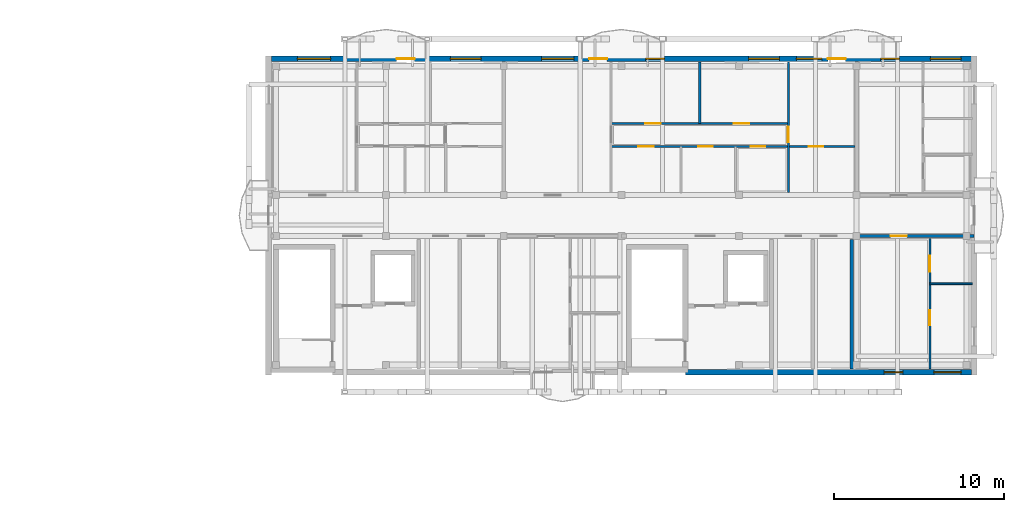
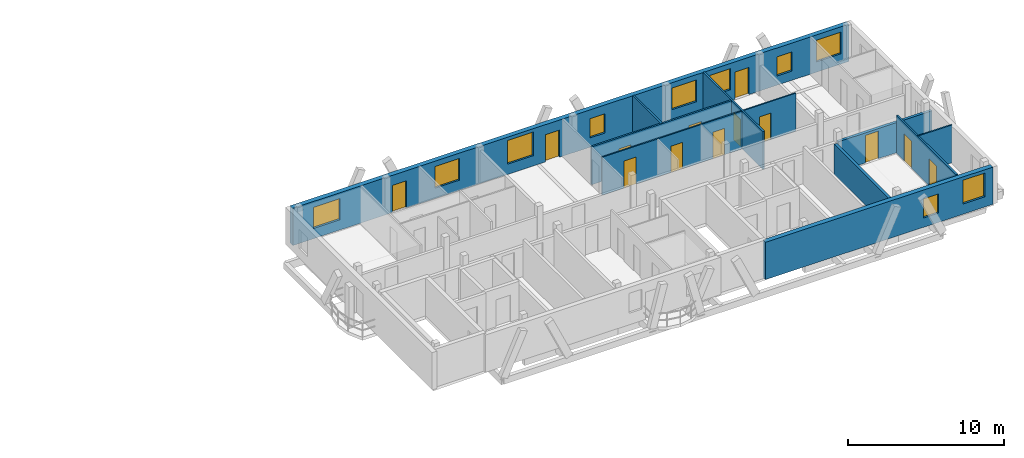
# One storey, part 20 of 29: 13 doors, 10 walls, 10 windows, 23 openings.
"""IFC4 building model written with IfcOpenShell, lengths in metres."""

from ifc_helpers import new_model, si_unit, direction, frame, frame_2d, origin, origin_with_axes, place, context, subcontext, project, spatial, rectangle, extrude, material, layer, layer_set, type_object, element, fill, save


model = new_model("IFC4")

# Units and contexts
model_context = context("Model", 3, precision=1e-05, world=origin(), true_north=direction((0.0, 1.0)))
body_context = subcontext(model_context, "Body", "Model", "MODEL_VIEW")
ifc_project = project(units=[si_unit("LENGTHUNIT", "METRE"), si_unit("AREAUNIT", "SQUARE_METRE"), si_unit("VOLUMEUNIT", "CUBIC_METRE"), si_unit("PLANEANGLEUNIT", "RADIAN"), si_unit("MASSUNIT", "GRAM", prefix="KILO")], contexts=[model_context])

# Site, building, storey
site_placement = place(None, origin())
site = spatial("IfcSite", under=ifc_project, at=site_placement, CompositionType="ELEMENT")
building_placement = place(site_placement, origin())
building = spatial("IfcBuilding", under=site, at=building_placement, Name="Zavelmont Quarter", CompositionType="ELEMENT")
storey_placement = place(building_placement, frame((0.0, 0.0, 33.60009765625)))
storey = spatial("IfcBuildingStorey", under=building, at=storey_placement, Name="L10", CompositionType="ELEMENT", Elevation=33.60009765625)

# Wall, openings, windows
ifc_material_1 = material(Name="Natural Belgian limestone", Category="masonry")
ifc_layer_1 = layer(ifc_material_1, 0.340087890625)
ifc_layer_set_1 = layer_set([ifc_layer_1], Name="Natural Belgian limestone")
wall_type_1 = type_object("IfcWallType", Name="EW03", PredefinedType="STANDARD", material=ifc_layer_set_1)
wall_1_placement = place(storey_placement, frame((151.050048828125, 97.60009765625, 0.0), z_axis=(0.0, 0.0, 1.0), x_axis=(1.0, 0.0, 0.0)))
wall_1 = element("IfcWall", 1, at=wall_1_placement, inside=storey, type_object=wall_type_1, Name="L10 exterior limestone wall EW03", PredefinedType="STANDARD", context=body_context, shape_type="SweptSolid", body=[
    extrude(rectangle(XDim=16.7900390625, YDim=0.340087890625, at=frame_2d((8.39501953125, 0.0))), origin(), (0.0, 0.0, 1.0), 2.909912109375),
])
opening_1_placement = place(wall_1_placement, frame((11.669921875, 0.0, 0.719970703125)))
opening_1 = element("IfcOpeningElement", 2, at=opening_1_placement, cuts=wall_1, Name="Opening WN09", PredefinedType="OPENING", context=body_context, shape_type="SweptSolid", body=[
    extrude(rectangle(XDim=1.10009765625, YDim=1.5, at=frame_2d((0.550048828125, 0.75))), frame((0.0, 0.18212890625, 0.0), z_axis=(0.0, -1.0, 0.0), x_axis=(1.0, 0.0, 0.0)), (0.0, 0.0, 1.0), 0.364013671875),
])
opening_2_placement = place(wall_1_placement, frame((14.5849609375, 0.0, 0.800048828125)))
opening_2 = element("IfcOpeningElement", 3, at=opening_2_placement, cuts=wall_1, Name="Opening WN19", PredefinedType="OPENING", context=body_context, shape_type="SweptSolid", body=[
    extrude(rectangle(XDim=1.60009765625, YDim=1.85009765625, at=frame_2d((0.800048828125, 0.925048828125))), frame((0.0, 0.18212890625, 0.0), z_axis=(0.0, -1.0, 0.0), x_axis=(1.0, 0.0, 0.0)), (0.0, 0.0, 1.0), 0.364013671875),
])
ifc_material_2 = material(Name="Double low-E insulated glazing in thermally broken aluminium frame", Category="aluminium")
window_type_1 = type_object("IfcWindowType", Name="WN09", PartitioningType="SINGLE_PANEL", PredefinedType="WINDOW", material=ifc_material_2)
window_1_placement = place(opening_1_placement, origin_with_axes())
window_1 = element("IfcWindow", 4, at=window_1_placement, inside=storey, type_object=window_type_1, Name="L10 window WN09", OverallHeight=1.5, OverallWidth=1.10009765625, PartitioningType="SINGLE_PANEL", PredefinedType="WINDOW", context=body_context, shape_type="SweptSolid", body=[
    extrude(rectangle(XDim=1.10009765625, YDim=1.5, at=frame_2d((0.550048828125, 0.75))), frame((0.0, 0.030029296875, 0.0), z_axis=(0.0, -1.0, 0.0), x_axis=(1.0, 0.0, 0.0)), (0.0, 0.0, 1.0), 0.06005859375),
])
fill(opening_1, window_1)
window_type_2 = type_object("IfcWindowType", Name="WN19", PartitioningType="SINGLE_PANEL", PredefinedType="WINDOW", material=ifc_material_2)
window_2_placement = place(opening_2_placement, origin_with_axes())
window_2 = element("IfcWindow", 5, at=window_2_placement, inside=storey, type_object=window_type_2, Name="L10 window WN19", OverallHeight=1.85009765625, OverallWidth=1.60009765625, PartitioningType="SINGLE_PANEL", PredefinedType="WINDOW", context=body_context, shape_type="SweptSolid", body=[
    extrude(rectangle(XDim=1.60009765625, YDim=1.85009765625, at=frame_2d((0.800048828125, 0.925048828125))), frame((0.0, 0.030029296875, 0.0), z_axis=(0.0, -1.0, 0.0), x_axis=(1.0, 0.0, 0.0)), (0.0, 0.0, 1.0), 0.06005859375),
])
fill(opening_2, window_2)

# Wall, openings, doors, windows
wall_2_placement = place(storey_placement, frame((126.760009765625, 116.0, 0.0), z_axis=(0.0, 0.0, 1.0), x_axis=(1.0, 0.0, 0.0)))
wall_2 = element("IfcWall", 6, at=wall_2_placement, inside=storey, type_object=wall_type_1, Name="L10 exterior limestone wall EW03", PredefinedType="STANDARD", context=body_context, shape_type="SweptSolid", body=[
    extrude(rectangle(XDim=41.080078125, YDim=0.340087890625, at=frame_2d((20.5400390625, 0.0))), origin(), (0.0, 0.0, 1.0), 2.909912109375),
])
opening_3_placement = place(wall_2_placement, frame((7.360107421875, 0.0, 0.0)))
opening_3 = element("IfcOpeningElement", 7, at=opening_3_placement, cuts=wall_2, Name="Opening DR04A", PredefinedType="OPENING", context=body_context, shape_type="SweptSolid", body=[
    extrude(rectangle(XDim=1.050048828125, YDim=2.1201171875, at=frame_2d((0.52490234375, 1.06005859375))), frame((0.0, 0.18212890625, 0.0), z_axis=(0.0, -1.0, 0.0), x_axis=(1.0, 0.0, 0.0)), (0.0, 0.0, 1.0), 0.364013671875),
])
opening_4_placement = place(wall_2_placement, frame((18.651123046875, 0.0, 0.0)))
opening_4 = element("IfcOpeningElement", 8, at=opening_4_placement, cuts=wall_2, Name="Opening DR04A", PredefinedType="OPENING", context=body_context, shape_type="SweptSolid", body=[
    extrude(rectangle(XDim=1.050048828125, YDim=2.1201171875, at=frame_2d((0.52490234375, 1.06005859375))), frame((0.0, 0.18212890625, 0.0), z_axis=(0.0, -1.0, 0.0), x_axis=(1.0, 0.0, 0.0)), (0.0, 0.0, 1.0), 0.364013671875),
])
opening_5_placement = place(wall_2_placement, frame((32.651123046875, 0.0, 0.0)))
opening_5 = element("IfcOpeningElement", 9, at=opening_5_placement, cuts=wall_2, Name="Opening DR04A", PredefinedType="OPENING", context=body_context, shape_type="SweptSolid", body=[
    extrude(rectangle(XDim=1.050048828125, YDim=2.1201171875, at=frame_2d((0.52490234375, 1.06005859375))), frame((0.0, 0.18212890625, 0.0), z_axis=(0.0, -1.0, 0.0), x_axis=(1.0, 0.0, 0.0)), (0.0, 0.0, 1.0), 0.364013671875),
])
opening_6_placement = place(wall_2_placement, frame((1.534912109375, 0.0, 0.800048828125)))
opening_6 = element("IfcOpeningElement", 10, at=opening_6_placement, cuts=wall_2, Name="Opening WN24", PredefinedType="OPENING", context=body_context, shape_type="SweptSolid", body=[
    extrude(rectangle(XDim=1.949951171875, YDim=1.64990234375, at=frame_2d((0.97509765625, 0.824951171875))), frame((0.0, 0.18212890625, 0.0), z_axis=(0.0, -1.0, 0.0), x_axis=(1.0, 0.0, 0.0)), (0.0, 0.0, 1.0), 0.364013671875),
])
opening_7_placement = place(wall_2_placement, frame((10.510009765625, 0.0, 0.800048828125)))
opening_7 = element("IfcOpeningElement", 11, at=opening_7_placement, cuts=wall_2, Name="Opening WN02", PredefinedType="OPENING", context=body_context, shape_type="SweptSolid", body=[
    extrude(rectangle(XDim=1.800048828125, YDim=1.699951171875, at=frame_2d((0.89990234375, 0.85009765625))), frame((0.0, 0.18212890625, 0.0), z_axis=(0.0, -1.0, 0.0), x_axis=(1.0, 0.0, 0.0)), (0.0, 0.0, 1.0), 0.364013671875),
])
opening_8_placement = place(wall_2_placement, frame((15.860107421875, 0.0, 0.800048828125)))
opening_8 = element("IfcOpeningElement", 12, at=opening_8_placement, cuts=wall_2, Name="Opening WN20", PredefinedType="OPENING", context=body_context, shape_type="SweptSolid", body=[
    extrude(rectangle(XDim=1.89990234375, YDim=1.85009765625, at=frame_2d((0.949951171875, 0.925048828125))), frame((0.0, 0.18212890625, 0.0), z_axis=(0.0, -1.0, 0.0), x_axis=(1.0, 0.0, 0.0)), (0.0, 0.0, 1.0), 0.364013671875),
])
opening_9_placement = place(wall_2_placement, frame((21.9599609375, 0.0, 0.719970703125)))
opening_9 = element("IfcOpeningElement", 13, at=opening_9_placement, cuts=wall_2, Name="Opening WN09", PredefinedType="OPENING", context=body_context, shape_type="SweptSolid", body=[
    extrude(rectangle(XDim=1.10009765625, YDim=1.5, at=frame_2d((0.550048828125, 0.75))), frame((0.0, 0.18212890625, 0.0), z_axis=(0.0, -1.0, 0.0), x_axis=(1.0, 0.0, 0.0)), (0.0, 0.0, 1.0), 0.364013671875),
])
opening_10_placement = place(wall_2_placement, frame((28.010009765625, 0.0, 0.800048828125)))
opening_10 = element("IfcOpeningElement", 14, at=opening_10_placement, cuts=wall_2, Name="Opening WN02", PredefinedType="OPENING", context=body_context, shape_type="SweptSolid", body=[
    extrude(rectangle(XDim=1.800048828125, YDim=1.699951171875, at=frame_2d((0.89990234375, 0.85009765625))), frame((0.0, 0.18212890625, 0.0), z_axis=(0.0, -1.0, 0.0), x_axis=(1.0, 0.0, 0.0)), (0.0, 0.0, 1.0), 0.364013671875),
])
opening_11_placement = place(wall_2_placement, frame((30.81005859375, 0.0, 0.85009765625)))
opening_11 = element("IfcOpeningElement", 15, at=opening_11_placement, cuts=wall_2, Name="Opening WN01", PredefinedType="OPENING", context=body_context, shape_type="SweptSolid", body=[
    extrude(rectangle(XDim=1.5, YDim=1.64990234375, at=frame_2d((0.75, 0.824951171875))), frame((0.0, 0.18212890625, 0.0), z_axis=(0.0, -1.0, 0.0), x_axis=(1.0, 0.0, 0.0)), (0.0, 0.0, 1.0), 0.364013671875),
])
opening_12_placement = place(wall_2_placement, frame((35.760009765625, 0.0, 0.719970703125)))
opening_12 = element("IfcOpeningElement", 16, at=opening_12_placement, cuts=wall_2, Name="Opening WN09", PredefinedType="OPENING", context=body_context, shape_type="SweptSolid", body=[
    extrude(rectangle(XDim=1.10009765625, YDim=1.5, at=frame_2d((0.550048828125, 0.75))), frame((0.0, 0.18212890625, 0.0), z_axis=(0.0, -1.0, 0.0), x_axis=(1.0, 0.0, 0.0)), (0.0, 0.0, 1.0), 0.364013671875),
])
opening_13_placement = place(wall_2_placement, frame((38.675048828125, 0.0, 0.800048828125)))
opening_13 = element("IfcOpeningElement", 17, at=opening_13_placement, cuts=wall_2, Name="Opening WN02", PredefinedType="OPENING", context=body_context, shape_type="SweptSolid", body=[
    extrude(rectangle(XDim=1.800048828125, YDim=1.699951171875, at=frame_2d((0.89990234375, 0.85009765625))), frame((0.0, 0.18212890625, 0.0), z_axis=(0.0, -1.0, 0.0), x_axis=(1.0, 0.0, 0.0)), (0.0, 0.0, 1.0), 0.364013671875),
])
ifc_material_3 = material(Name="Thermally broken aluminium and double safety glass", Category="aluminium")
door_type_1 = type_object("IfcDoorType", Name="DR04A", OperationType="NOTDEFINED", PredefinedType="DOOR", material=ifc_material_3)
door_1_placement = place(opening_3_placement, frame((1.050048828125, 0.0, 0.0), z_axis=(0.0, 0.0, 1.0), x_axis=(-1.0, 0.0, 0.0)))
door_1 = element("IfcDoor", 18, at=door_1_placement, inside=storey, type_object=door_type_1, Name="Block C L10 glazed balcony door", OperationType="SINGLE_SWING_RIGHT", OverallHeight=2.1201171875, OverallWidth=1.050048828125, PredefinedType="DOOR", context=body_context, shape_type="SweptSolid", body=[
    extrude(rectangle(XDim=1.050048828125, YDim=2.1201171875, at=frame_2d((0.52490234375, 1.06005859375))), frame((0.0, 0.02490234375, 0.0), z_axis=(0.0, -1.0, 0.0), x_axis=(1.0, 0.0, 0.0)), (0.0, 0.0, 1.0), 0.050048828125),
])
fill(opening_3, door_1)
door_2_placement = place(opening_4_placement, frame((1.050048828125, 0.0, 0.0), z_axis=(0.0, 0.0, 1.0), x_axis=(-1.0, 0.0, 0.0)))
door_2 = element("IfcDoor", 19, at=door_2_placement, inside=storey, type_object=door_type_1, Name="Block C L10 glazed balcony door", OperationType="SINGLE_SWING_LEFT", OverallHeight=2.1201171875, OverallWidth=1.050048828125, PredefinedType="DOOR", context=body_context, shape_type="SweptSolid", body=[
    extrude(rectangle(XDim=1.050048828125, YDim=2.1201171875, at=frame_2d((0.52490234375, 1.06005859375))), frame((0.0, 0.02490234375, 0.0), z_axis=(0.0, -1.0, 0.0), x_axis=(1.0, 0.0, 0.0)), (0.0, 0.0, 1.0), 0.050048828125),
])
fill(opening_4, door_2)
door_3_placement = place(opening_5_placement, frame((1.050048828125, 0.0, 0.0), z_axis=(0.0, 0.0, 1.0), x_axis=(-1.0, 0.0, 0.0)))
door_3 = element("IfcDoor", 20, at=door_3_placement, inside=storey, type_object=door_type_1, Name="Block C L10 glazed balcony door", OperationType="SINGLE_SWING_LEFT", OverallHeight=2.1201171875, OverallWidth=1.050048828125, PredefinedType="DOOR", context=body_context, shape_type="SweptSolid", body=[
    extrude(rectangle(XDim=1.050048828125, YDim=2.1201171875, at=frame_2d((0.52490234375, 1.06005859375))), frame((0.0, 0.02490234375, 0.0), z_axis=(0.0, -1.0, 0.0), x_axis=(1.0, 0.0, 0.0)), (0.0, 0.0, 1.0), 0.050048828125),
])
fill(opening_5, door_3)
window_type_3 = type_object("IfcWindowType", Name="WN01", PartitioningType="SINGLE_PANEL", PredefinedType="WINDOW", material=ifc_material_2)
window_3_placement = place(opening_11_placement, origin_with_axes())
window_3 = element("IfcWindow", 21, at=window_3_placement, inside=storey, type_object=window_type_3, Name="L10 window WN01", OverallHeight=1.64990234375, OverallWidth=1.5, PartitioningType="SINGLE_PANEL", PredefinedType="WINDOW", context=body_context, shape_type="SweptSolid", body=[
    extrude(rectangle(XDim=1.5, YDim=1.64990234375, at=frame_2d((0.75, 0.824951171875))), frame((0.0, 0.030029296875, 0.0), z_axis=(0.0, -1.0, 0.0), x_axis=(1.0, 0.0, 0.0)), (0.0, 0.0, 1.0), 0.06005859375),
])
fill(opening_11, window_3)
window_type_4 = type_object("IfcWindowType", Name="WN02", PartitioningType="SINGLE_PANEL", PredefinedType="WINDOW", material=ifc_material_2)
window_4_placement = place(opening_7_placement, origin_with_axes())
window_4 = element("IfcWindow", 22, at=window_4_placement, inside=storey, type_object=window_type_4, Name="L10 window WN02", OverallHeight=1.699951171875, OverallWidth=1.800048828125, PartitioningType="SINGLE_PANEL", PredefinedType="WINDOW", context=body_context, shape_type="SweptSolid", body=[
    extrude(rectangle(XDim=1.800048828125, YDim=1.699951171875, at=frame_2d((0.89990234375, 0.85009765625))), frame((0.0, 0.030029296875, 0.0), z_axis=(0.0, -1.0, 0.0), x_axis=(1.0, 0.0, 0.0)), (0.0, 0.0, 1.0), 0.06005859375),
])
fill(opening_7, window_4)
window_5_placement = place(opening_10_placement, origin_with_axes())
window_5 = element("IfcWindow", 23, at=window_5_placement, inside=storey, type_object=window_type_4, Name="L10 window WN02", OverallHeight=1.699951171875, OverallWidth=1.800048828125, PartitioningType="SINGLE_PANEL", PredefinedType="WINDOW", context=body_context, shape_type="SweptSolid", body=[
    extrude(rectangle(XDim=1.800048828125, YDim=1.699951171875, at=frame_2d((0.89990234375, 0.85009765625))), frame((0.0, 0.030029296875, 0.0), z_axis=(0.0, -1.0, 0.0), x_axis=(1.0, 0.0, 0.0)), (0.0, 0.0, 1.0), 0.06005859375),
])
fill(opening_10, window_5)
window_6_placement = place(opening_13_placement, origin_with_axes())
window_6 = element("IfcWindow", 24, at=window_6_placement, inside=storey, type_object=window_type_4, Name="L10 window WN02", OverallHeight=1.699951171875, OverallWidth=1.800048828125, PartitioningType="SINGLE_PANEL", PredefinedType="WINDOW", context=body_context, shape_type="SweptSolid", body=[
    extrude(rectangle(XDim=1.800048828125, YDim=1.699951171875, at=frame_2d((0.89990234375, 0.85009765625))), frame((0.0, 0.030029296875, 0.0), z_axis=(0.0, -1.0, 0.0), x_axis=(1.0, 0.0, 0.0)), (0.0, 0.0, 1.0), 0.06005859375),
])
fill(opening_13, window_6)
window_7_placement = place(opening_9_placement, origin_with_axes())
window_7 = element("IfcWindow", 25, at=window_7_placement, inside=storey, type_object=window_type_1, Name="L10 window WN09", OverallHeight=1.5, OverallWidth=1.10009765625, PartitioningType="SINGLE_PANEL", PredefinedType="WINDOW", context=body_context, shape_type="SweptSolid", body=[
    extrude(rectangle(XDim=1.10009765625, YDim=1.5, at=frame_2d((0.550048828125, 0.75))), frame((0.0, 0.030029296875, 0.0), z_axis=(0.0, -1.0, 0.0), x_axis=(1.0, 0.0, 0.0)), (0.0, 0.0, 1.0), 0.06005859375),
])
fill(opening_9, window_7)
window_8_placement = place(opening_12_placement, origin_with_axes())
window_8 = element("IfcWindow", 26, at=window_8_placement, inside=storey, type_object=window_type_1, Name="L10 window WN09", OverallHeight=1.5, OverallWidth=1.10009765625, PartitioningType="SINGLE_PANEL", PredefinedType="WINDOW", context=body_context, shape_type="SweptSolid", body=[
    extrude(rectangle(XDim=1.10009765625, YDim=1.5, at=frame_2d((0.550048828125, 0.75))), frame((0.0, 0.030029296875, 0.0), z_axis=(0.0, -1.0, 0.0), x_axis=(1.0, 0.0, 0.0)), (0.0, 0.0, 1.0), 0.06005859375),
])
fill(opening_12, window_8)
window_type_5 = type_object("IfcWindowType", Name="WN20", PartitioningType="SINGLE_PANEL", PredefinedType="WINDOW", material=ifc_material_2)
window_9_placement = place(opening_8_placement, origin_with_axes())
window_9 = element("IfcWindow", 27, at=window_9_placement, inside=storey, type_object=window_type_5, Name="L10 window WN20", OverallHeight=1.85009765625, OverallWidth=1.89990234375, PartitioningType="SINGLE_PANEL", PredefinedType="WINDOW", context=body_context, shape_type="SweptSolid", body=[
    extrude(rectangle(XDim=1.89990234375, YDim=1.85009765625, at=frame_2d((0.949951171875, 0.925048828125))), frame((0.0, 0.030029296875, 0.0), z_axis=(0.0, -1.0, 0.0), x_axis=(1.0, 0.0, 0.0)), (0.0, 0.0, 1.0), 0.06005859375),
])
fill(opening_8, window_9)
window_type_6 = type_object("IfcWindowType", Name="WN24", PartitioningType="SINGLE_PANEL", PredefinedType="WINDOW", material=ifc_material_2)
window_10_placement = place(opening_6_placement, origin_with_axes())
window_10 = element("IfcWindow", 28, at=window_10_placement, inside=storey, type_object=window_type_6, Name="L10 window WN24", OverallHeight=1.64990234375, OverallWidth=1.949951171875, PartitioningType="SINGLE_PANEL", PredefinedType="WINDOW", context=body_context, shape_type="SweptSolid", body=[
    extrude(rectangle(XDim=1.949951171875, YDim=1.64990234375, at=frame_2d((0.97509765625, 0.824951171875))), frame((0.0, 0.030029296875, 0.0), z_axis=(0.0, -1.0, 0.0), x_axis=(1.0, 0.0, 0.0)), (0.0, 0.0, 1.0), 0.06005859375),
])
fill(opening_6, window_10)

# Wall
ifc_material_4 = material(Name="Calcium-silicate blockwork and acoustic plaster", Category="masonry")
ifc_layer_2 = layer(ifc_material_4, 0.199951171875)
ifc_layer_set_2 = layer_set([ifc_layer_2], Name="Calcium-silicate blockwork and acoustic plaster")
wall_type_2 = type_object("IfcWallType", Name="IW01", PredefinedType="PARTITIONING", material=ifc_layer_set_2)
wall_3_placement = place(storey_placement, frame((160.820068359375, 97.800048828125, 0.0), z_axis=(0.0, 0.0, 1.0), x_axis=(0.0, 1.0, 0.0)))
element("IfcWall", 29, at=wall_3_placement, inside=storey, type_object=wall_type_2, Name="L10 Core service end wall IW01", PredefinedType="PARTITIONING", context=body_context, shape_type="SweptSolid", body=[
    extrude(rectangle(XDim=7.599853515625, YDim=0.199951171875, at=frame_2d((3.7998046875, 0.0))), origin(), (0.0, 0.0, 1.0), 2.349853515625),
])

# Wall, opening, door
wall_4_placement = place(storey_placement, frame((161.10009765625, 105.60009765625, 0.0), z_axis=(0.0, 0.0, 1.0), x_axis=(1.0, 0.0, 0.0)))
wall_4 = element("IfcWall", 30, at=wall_4_placement, inside=storey, type_object=wall_type_2, Name="L10 Corridor compartment wall IW01", PredefinedType="PARTITIONING", context=body_context, shape_type="SweptSolid", body=[
    extrude(rectangle(XDim=6.89990234375, YDim=0.199951171875, at=frame_2d((3.449951171875, 0.0))), origin(), (0.0, 0.0, 1.0), 2.349853515625),
])
opening_14_placement = place(wall_4_placement, frame((2.0, 0.0, 0.0)))
opening_14 = element("IfcOpeningElement", 31, at=opening_14_placement, cuts=wall_4, Name="Opening DR02", PredefinedType="OPENING", context=body_context, shape_type="SweptSolid", body=[
    extrude(rectangle(XDim=0.949951171875, YDim=2.14990234375, at=frame_2d((0.47509765625, 1.074951171875))), frame((0.0, 0.11181640625, 0.0), z_axis=(0.0, -1.0, 0.0), x_axis=(1.0, 0.0, 0.0)), (0.0, 0.0, 1.0), 0.223876953125),
])
ifc_material_5 = material(Name="Solid-core oak fire leaf in steel frame", Category="steel")
door_type_2 = type_object("IfcDoorType", Name="DR02", OperationType="NOTDEFINED", PredefinedType="DOOR", material=ifc_material_5)
door_4_placement = place(opening_14_placement, frame((0.949951171875, 0.0, 0.0), z_axis=(0.0, 0.0, 1.0), x_axis=(-1.0, 0.0, 0.0)))
door_4 = element("IfcDoor", 32, at=door_4_placement, inside=storey, type_object=door_type_2, Name="L10 door DR02", OperationType="SINGLE_SWING_RIGHT", OverallHeight=2.14990234375, OverallWidth=0.949951171875, PredefinedType="DOOR", context=body_context, shape_type="SweptSolid", body=[
    extrude(rectangle(XDim=0.949951171875, YDim=2.14990234375, at=frame_2d((0.47509765625, 1.074951171875))), frame((0.0, 0.02490234375, 0.0), z_axis=(0.0, -1.0, 0.0), x_axis=(1.0, 0.0, 0.0)), (0.0, 0.0, 1.0), 0.050048828125),
])
fill(opening_14, door_4)

# Wall
ifc_material_6 = material(Name="Double gypsum board on acoustic steel stud", Category="steel")
ifc_layer_3 = layer(ifc_material_6, 0.125)
ifc_layer_set_3 = layer_set([ifc_layer_3], Name="Double gypsum board on acoustic steel stud")
wall_type_3 = type_object("IfcWallType", Name="IW03", PredefinedType="PARTITIONING", material=ifc_layer_set_3)
wall_5_placement = place(storey_placement, frame((151.89990234375, 112.199951171875, 0.0), z_axis=(0.0, 0.0, 1.0), x_axis=(0.0, 1.0, 0.0)))
element("IfcWall", 33, at=wall_5_placement, inside=storey, type_object=wall_type_3, Name="L10 Partition IW03", PredefinedType="PARTITIONING", context=body_context, shape_type="SweptSolid", body=[
    extrude(rectangle(XDim=3.60009765625, YDim=0.125, at=frame_2d((1.800048828125, 0.0))), origin(), (0.0, 0.0, 1.0), 2.9599609375),
])

# Wall, opening, door
wall_6_placement = place(storey_placement, frame((157.10009765625, 108.14990234375, 0.0), z_axis=(0.0, 0.0, 1.0), x_axis=(0.0, 1.0, 0.0)))
wall_6 = element("IfcWall", 34, at=wall_6_placement, inside=storey, type_object=wall_type_3, Name="L10 Partition IW03", PredefinedType="PARTITIONING", context=body_context, shape_type="SweptSolid", body=[
    extrude(rectangle(XDim=7.650146484375, YDim=0.125, at=frame_2d((3.8251953125, 0.0))), origin(), (0.0, 0.0, 1.0), 2.9599609375),
])
opening_15_placement = place(wall_6_placement, frame((2.949951171875, 0.0, 0.0)))
opening_15 = element("IfcOpeningElement", 35, at=opening_15_placement, cuts=wall_6, Name="Opening DR05", PredefinedType="OPENING", context=body_context, shape_type="SweptSolid", body=[
    extrude(rectangle(XDim=0.89990234375, YDim=2.10009765625, at=frame_2d((0.449951171875, 1.050048828125))), frame((0.0, 0.074462890625, 0.0), z_axis=(0.0, -1.0, 0.0), x_axis=(1.0, 0.0, 0.0)), (0.0, 0.0, 1.0), 0.14892578125),
])
ifc_material_7 = material(Name="Engineered oak flush interior door")
door_type_3 = type_object("IfcDoorType", Name="DR05", OperationType="NOTDEFINED", PredefinedType="DOOR", material=ifc_material_7)
door_5_placement = place(opening_15_placement, origin_with_axes())
door_5 = element("IfcDoor", 36, at=door_5_placement, inside=storey, type_object=door_type_3, Name="L10 door DR05", OperationType="SINGLE_SWING_LEFT", OverallHeight=2.10009765625, OverallWidth=0.89990234375, PredefinedType="DOOR", context=body_context, shape_type="SweptSolid", body=[
    extrude(rectangle(XDim=0.89990234375, YDim=2.10009765625, at=frame_2d((0.449951171875, 1.050048828125))), frame((0.0, 0.02490234375, 0.0), z_axis=(0.0, -1.0, 0.0), x_axis=(1.0, 0.0, 0.0)), (0.0, 0.0, 1.0), 0.050048828125),
])
fill(opening_15, door_5)

# Wall, openings, doors
wall_7_placement = place(storey_placement, frame((146.699951171875, 112.199951171875, 0.0), z_axis=(0.0, 0.0, 1.0), x_axis=(1.0, 0.0, 0.0)))
wall_7 = element("IfcWall", 37, at=wall_7_placement, inside=storey, type_object=wall_type_3, Name="L10 Partition IW03", PredefinedType="PARTITIONING", context=body_context, shape_type="SweptSolid", body=[
    extrude(rectangle(XDim=10.400146484375, YDim=0.125, at=frame_2d((5.2001953125, 0.0))), origin(), (0.0, 0.0, 1.0), 2.9599609375),
])
opening_16_placement = place(wall_7_placement, frame((2.0, 0.0, 0.0)))
opening_16 = element("IfcOpeningElement", 38, at=opening_16_placement, cuts=wall_7, Name="Opening DR05", PredefinedType="OPENING", context=body_context, shape_type="SweptSolid", body=[
    extrude(rectangle(XDim=0.89990234375, YDim=2.10009765625, at=frame_2d((0.449951171875, 1.050048828125))), frame((0.0, 0.074462890625, 0.0), z_axis=(0.0, -1.0, 0.0), x_axis=(1.0, 0.0, 0.0)), (0.0, 0.0, 1.0), 0.14892578125),
])
opening_17_placement = place(wall_7_placement, frame((7.199951171875, 0.0, 0.0)))
opening_17 = element("IfcOpeningElement", 39, at=opening_17_placement, cuts=wall_7, Name="Opening DR05", PredefinedType="OPENING", context=body_context, shape_type="SweptSolid", body=[
    extrude(rectangle(XDim=0.89990234375, YDim=2.10009765625, at=frame_2d((0.449951171875, 1.050048828125))), frame((0.0, 0.074462890625, 0.0), z_axis=(0.0, -1.0, 0.0), x_axis=(1.0, 0.0, 0.0)), (0.0, 0.0, 1.0), 0.14892578125),
])
door_6_placement = place(opening_16_placement, frame((0.89990234375, 0.0, 0.0), z_axis=(0.0, 0.0, 1.0), x_axis=(-1.0, 0.0, 0.0)))
door_6 = element("IfcDoor", 40, at=door_6_placement, inside=storey, type_object=door_type_3, Name="L10 door DR05", OperationType="SINGLE_SWING_RIGHT", OverallHeight=2.10009765625, OverallWidth=0.89990234375, PredefinedType="DOOR", context=body_context, shape_type="SweptSolid", body=[
    extrude(rectangle(XDim=0.89990234375, YDim=2.10009765625, at=frame_2d((0.449951171875, 1.050048828125))), frame((0.0, 0.02490234375, 0.0), z_axis=(0.0, -1.0, 0.0), x_axis=(1.0, 0.0, 0.0)), (0.0, 0.0, 1.0), 0.050048828125),
])
fill(opening_16, door_6)
door_7_placement = place(opening_17_placement, origin_with_axes())
door_7 = element("IfcDoor", 41, at=door_7_placement, inside=storey, type_object=door_type_3, Name="L10 door DR05", OperationType="SINGLE_SWING_LEFT", OverallHeight=2.10009765625, OverallWidth=0.89990234375, PredefinedType="DOOR", context=body_context, shape_type="SweptSolid", body=[
    extrude(rectangle(XDim=0.89990234375, YDim=2.10009765625, at=frame_2d((0.449951171875, 1.050048828125))), frame((0.0, 0.02490234375, 0.0), z_axis=(0.0, -1.0, 0.0), x_axis=(1.0, 0.0, 0.0)), (0.0, 0.0, 1.0), 0.050048828125),
])
fill(opening_17, door_7)

wall_8_placement = place(storey_placement, frame((165.39990234375, 105.449951171875, 0.0), z_axis=(0.0, 0.0, 1.0), x_axis=(0.0, -1.0, 0.0)))
wall_8 = element("IfcWall", 42, at=wall_8_placement, inside=storey, type_object=wall_type_3, Name="L10 Partition IW03", PredefinedType="PARTITIONING", context=body_context, shape_type="SweptSolid", body=[
    extrude(rectangle(XDim=7.64990234375, YDim=0.125, at=frame_2d((3.824951171875, 0.0))), origin(), (0.0, 0.0, 1.0), 2.9599609375),
])
opening_18_placement = place(wall_8_placement, frame((1.0, 0.0, 0.0)))
opening_18 = element("IfcOpeningElement", 43, at=opening_18_placement, cuts=wall_8, Name="Opening DR17", PredefinedType="OPENING", context=body_context, shape_type="SweptSolid", body=[
    extrude(rectangle(XDim=0.949951171875, YDim=2.10009765625, at=frame_2d((0.47509765625, 1.050048828125))), frame((0.0, 0.074462890625, 0.0), z_axis=(0.0, -1.0, 0.0), x_axis=(1.0, 0.0, 0.0)), (0.0, 0.0, 1.0), 0.14892578125),
])
opening_19_placement = place(wall_8_placement, frame((4.199951171875, 0.0, 0.0)))
opening_19 = element("IfcOpeningElement", 44, at=opening_19_placement, cuts=wall_8, Name="Opening DR05", PredefinedType="OPENING", context=body_context, shape_type="SweptSolid", body=[
    extrude(rectangle(XDim=0.89990234375, YDim=2.10009765625, at=frame_2d((0.449951171875, 1.050048828125))), frame((0.0, 0.074462890625, 0.0), z_axis=(0.0, -1.0, 0.0), x_axis=(1.0, 0.0, 0.0)), (0.0, 0.0, 1.0), 0.14892578125),
])
door_8_placement = place(opening_19_placement, frame((0.89990234375, 0.0, 0.0), z_axis=(0.0, 0.0, 1.0), x_axis=(-1.0, 0.0, 0.0)))
door_8 = element("IfcDoor", 45, at=door_8_placement, inside=storey, type_object=door_type_3, Name="L10 door DR05", OperationType="SINGLE_SWING_LEFT", OverallHeight=2.10009765625, OverallWidth=0.89990234375, PredefinedType="DOOR", context=body_context, shape_type="SweptSolid", body=[
    extrude(rectangle(XDim=0.89990234375, YDim=2.10009765625, at=frame_2d((0.449951171875, 1.050048828125))), frame((0.0, 0.02490234375, 0.0), z_axis=(0.0, -1.0, 0.0), x_axis=(1.0, 0.0, 0.0)), (0.0, 0.0, 1.0), 0.050048828125),
])
fill(opening_19, door_8)
ifc_material_8 = material(Name="Accessible washroom flush door")
door_type_4 = type_object("IfcDoorType", Name="DR17", OperationType="NOTDEFINED", PredefinedType="DOOR", material=ifc_material_8)
door_9_placement = place(opening_18_placement, origin_with_axes())
door_9 = element("IfcDoor", 46, at=door_9_placement, inside=storey, type_object=door_type_4, Name="L10 door DR17", OperationType="SINGLE_SWING_RIGHT", OverallHeight=2.10009765625, OverallWidth=0.949951171875, PredefinedType="DOOR", context=body_context, shape_type="SweptSolid", body=[
    extrude(rectangle(XDim=0.949951171875, YDim=2.10009765625, at=frame_2d((0.47509765625, 1.050048828125))), frame((0.0, 0.02490234375, 0.0), z_axis=(0.0, -1.0, 0.0), x_axis=(1.0, 0.0, 0.0)), (0.0, 0.0, 1.0), 0.050048828125),
])
fill(opening_18, door_9)

ifc_material_9 = material(Name="Moisture-resistant gypsum board on steel stud", Category="steel")
ifc_layer_4 = layer(ifc_material_9, 0.10009765625)
ifc_layer_set_4 = layer_set([ifc_layer_4], Name="Moisture-resistant gypsum board on steel stud")
wall_type_4 = type_object("IfcWallType", Name="IW04", PredefinedType="PARTITIONING", material=ifc_layer_set_4)
wall_9_placement = place(storey_placement, frame((146.699951171875, 110.85009765625, 0.0), z_axis=(0.0, 0.0, 1.0), x_axis=(1.0, 0.0, 0.0)))
wall_9 = element("IfcWall", 47, at=wall_9_placement, inside=storey, type_object=wall_type_4, Name="L10 Partition IW04", PredefinedType="PARTITIONING", context=body_context, shape_type="SweptSolid", body=[
    extrude(rectangle(XDim=14.300048828125, YDim=0.10009765625, at=frame_2d((7.14990234375, 0.0))), origin(), (0.0, 0.0, 1.0), 2.9599609375),
])
opening_20_placement = place(wall_9_placement, frame((1.60009765625, 0.0, 0.0)))
opening_20 = element("IfcOpeningElement", 48, at=opening_20_placement, cuts=wall_9, Name="Opening DR05", PredefinedType="OPENING", context=body_context, shape_type="SweptSolid", body=[
    extrude(rectangle(XDim=0.89990234375, YDim=2.10009765625, at=frame_2d((0.449951171875, 1.050048828125))), frame((0.0, 0.06201171875, 0.0), z_axis=(0.0, -1.0, 0.0), x_axis=(1.0, 0.0, 0.0)), (0.0, 0.0, 1.0), 0.1240234375),
])
opening_21_placement = place(wall_9_placement, frame((5.10009765625, 0.0, 0.0)))
opening_21 = element("IfcOpeningElement", 49, at=opening_21_placement, cuts=wall_9, Name="Opening DR06", PredefinedType="OPENING", context=body_context, shape_type="SweptSolid", body=[
    extrude(rectangle(XDim=0.85009765625, YDim=2.050048828125, at=frame_2d((0.425048828125, 1.02490234375))), frame((0.0, 0.06201171875, 0.0), z_axis=(0.0, -1.0, 0.0), x_axis=(1.0, 0.0, 0.0)), (0.0, 0.0, 1.0), 0.1240234375),
])
opening_22_placement = place(wall_9_placement, frame((8.199951171875, 0.0, 0.0)))
opening_22 = element("IfcOpeningElement", 50, at=opening_22_placement, cuts=wall_9, Name="Opening DR06", PredefinedType="OPENING", context=body_context, shape_type="SweptSolid", body=[
    extrude(rectangle(XDim=0.85009765625, YDim=2.050048828125, at=frame_2d((0.425048828125, 1.02490234375))), frame((0.0, 0.06201171875, 0.0), z_axis=(0.0, -1.0, 0.0), x_axis=(1.0, 0.0, 0.0)), (0.0, 0.0, 1.0), 0.1240234375),
])
opening_23_placement = place(wall_9_placement, frame((11.60009765625, 0.0, 0.0)))
opening_23 = element("IfcOpeningElement", 51, at=opening_23_placement, cuts=wall_9, Name="Opening DR06", PredefinedType="OPENING", context=body_context, shape_type="SweptSolid", body=[
    extrude(rectangle(XDim=0.85009765625, YDim=2.050048828125, at=frame_2d((0.425048828125, 1.02490234375))), frame((0.0, 0.06201171875, 0.0), z_axis=(0.0, -1.0, 0.0), x_axis=(1.0, 0.0, 0.0)), (0.0, 0.0, 1.0), 0.1240234375),
])
door_10_placement = place(opening_20_placement, frame((0.89990234375, 0.0, 0.0), z_axis=(0.0, 0.0, 1.0), x_axis=(-1.0, 0.0, 0.0)))
door_10 = element("IfcDoor", 52, at=door_10_placement, inside=storey, type_object=door_type_3, Name="L10 door DR05", OperationType="SINGLE_SWING_RIGHT", OverallHeight=2.10009765625, OverallWidth=0.89990234375, PredefinedType="DOOR", context=body_context, shape_type="SweptSolid", body=[
    extrude(rectangle(XDim=0.89990234375, YDim=2.10009765625, at=frame_2d((0.449951171875, 1.050048828125))), frame((0.0, 0.02490234375, 0.0), z_axis=(0.0, -1.0, 0.0), x_axis=(1.0, 0.0, 0.0)), (0.0, 0.0, 1.0), 0.050048828125),
])
fill(opening_20, door_10)
ifc_material_10 = material(Name="Moisture-resistant painted wet-room door")
door_type_5 = type_object("IfcDoorType", Name="DR06", OperationType="NOTDEFINED", PredefinedType="DOOR", material=ifc_material_10)
door_11_placement = place(opening_21_placement, origin_with_axes())
door_11 = element("IfcDoor", 53, at=door_11_placement, inside=storey, type_object=door_type_5, Name="L10 door DR06", OperationType="SINGLE_SWING_LEFT", OverallHeight=2.050048828125, OverallWidth=0.85009765625, PredefinedType="DOOR", context=body_context, shape_type="SweptSolid", body=[
    extrude(rectangle(XDim=0.85009765625, YDim=2.050048828125, at=frame_2d((0.425048828125, 1.02490234375))), frame((0.0, 0.02490234375, 0.0), z_axis=(0.0, -1.0, 0.0), x_axis=(1.0, 0.0, 0.0)), (0.0, 0.0, 1.0), 0.050048828125),
])
fill(opening_21, door_11)
door_12_placement = place(opening_22_placement, frame((0.85009765625, 0.0, 0.0), z_axis=(0.0, 0.0, 1.0), x_axis=(-1.0, 0.0, 0.0)))
door_12 = element("IfcDoor", 54, at=door_12_placement, inside=storey, type_object=door_type_5, Name="L10 door DR06", OperationType="SINGLE_SWING_RIGHT", OverallHeight=2.050048828125, OverallWidth=0.85009765625, PredefinedType="DOOR", context=body_context, shape_type="SweptSolid", body=[
    extrude(rectangle(XDim=0.85009765625, YDim=2.050048828125, at=frame_2d((0.425048828125, 1.02490234375))), frame((0.0, 0.02490234375, 0.0), z_axis=(0.0, -1.0, 0.0), x_axis=(1.0, 0.0, 0.0)), (0.0, 0.0, 1.0), 0.050048828125),
])
fill(opening_22, door_12)
door_13_placement = place(opening_23_placement, origin_with_axes())
door_13 = element("IfcDoor", 55, at=door_13_placement, inside=storey, type_object=door_type_5, Name="L10 door DR06", OperationType="SINGLE_SWING_LEFT", OverallHeight=2.050048828125, OverallWidth=0.85009765625, PredefinedType="DOOR", context=body_context, shape_type="SweptSolid", body=[
    extrude(rectangle(XDim=0.85009765625, YDim=2.050048828125, at=frame_2d((0.425048828125, 1.02490234375))), frame((0.0, 0.02490234375, 0.0), z_axis=(0.0, -1.0, 0.0), x_axis=(1.0, 0.0, 0.0)), (0.0, 0.0, 1.0), 0.050048828125),
])
fill(opening_23, door_13)

# Wall
wall_10_placement = place(storey_placement, frame((165.39990234375, 102.800048828125, 0.0), z_axis=(0.0, 0.0, 1.0), x_axis=(1.0, 0.0, 0.0)))
element("IfcWall", 56, at=wall_10_placement, inside=storey, type_object=wall_type_4, Name="L10 Partition IW04", PredefinedType="PARTITIONING", context=body_context, shape_type="SweptSolid", body=[
    extrude(rectangle(XDim=2.5, YDim=0.10009765625, at=frame_2d((1.25, 0.0))), origin(), (0.0, 0.0, 1.0), 2.9599609375),
])

save(model, "model.ifc")
